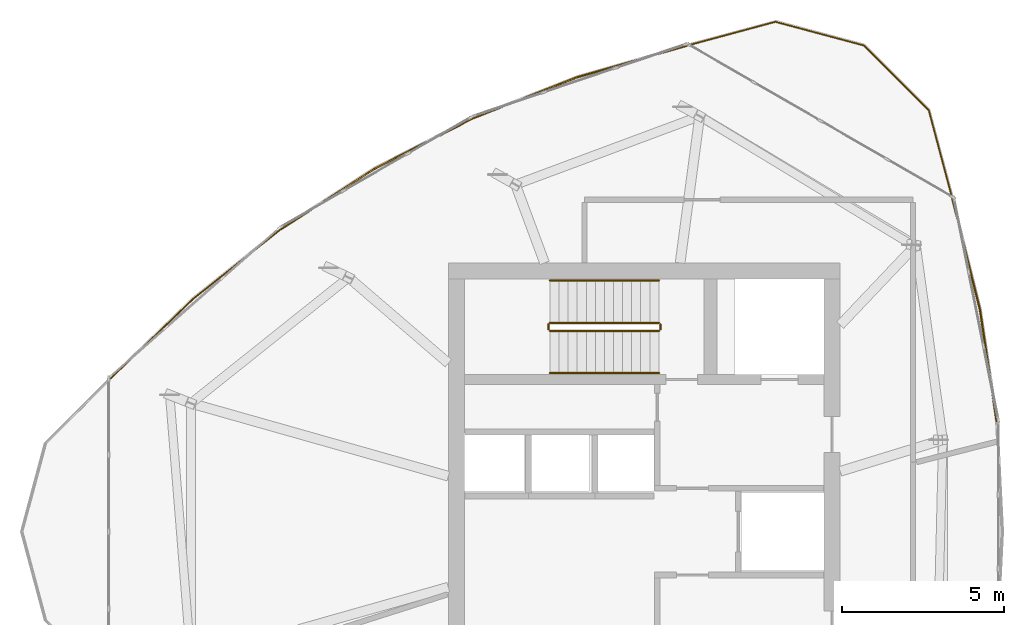
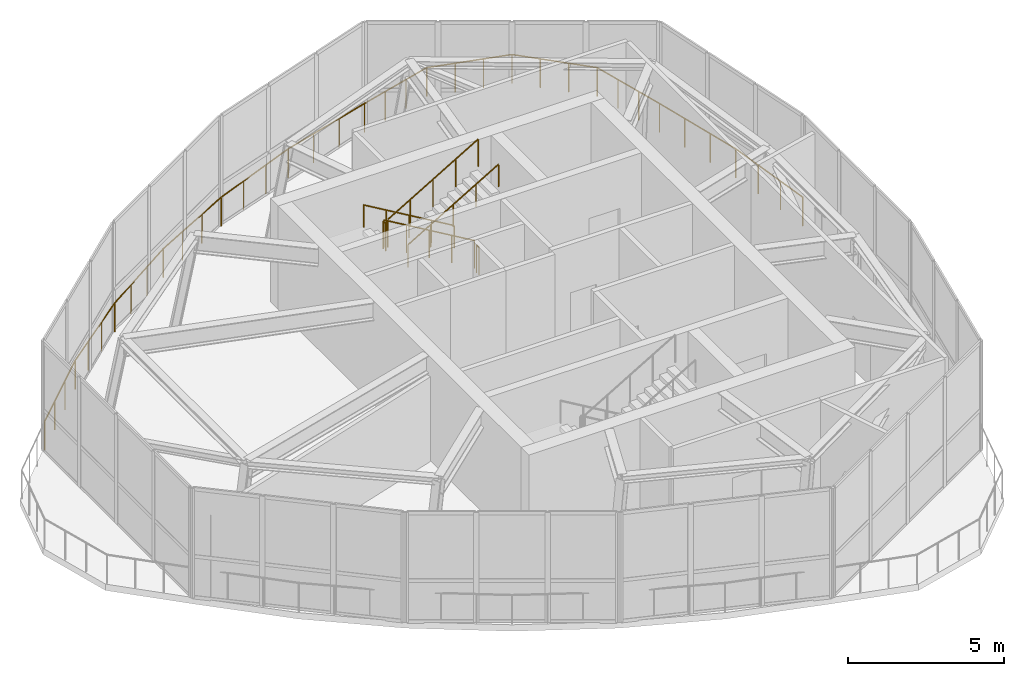
# One storey, part 11 of 11: 11 railings.
"""IFC4 building model written with IfcOpenShell, lengths in metres."""

from ifc_helpers import new_model, si_unit, direction, frame, origin, origin_2d, place, context, subcontext, project, spatial, circle, extrude, source, transform, mapped, material, type_object, element, save


model = new_model("IFC4")

# Units and contexts
model_context = context("Model", 3, precision=1e-05, world=origin(), true_north=direction((0.0, 1.0)))
body_context = subcontext(model_context, "Body", "Model", "MODEL_VIEW")
ifc_project = project(units=[si_unit("LENGTHUNIT", "METRE"), si_unit("AREAUNIT", "SQUARE_METRE"), si_unit("VOLUMEUNIT", "CUBIC_METRE"), si_unit("PLANEANGLEUNIT", "RADIAN"), si_unit("MASSUNIT", "GRAM", prefix="KILO")], contexts=[model_context])

# Site, building, storey
site_placement = place(None, origin())
site = spatial("IfcSite", under=ifc_project, at=site_placement, CompositionType="ELEMENT")
building_placement = place(site_placement, origin())
building = spatial("IfcBuilding", under=site, at=building_placement, Name="Qafzar Sky-Pleat Residences", CompositionType="ELEMENT")
storey_placement = place(building_placement, frame((0.0, 0.0, 253.199951171875)))
storey = spatial("IfcBuildingStorey", under=building, at=storey_placement, Name="L76 Crown", CompositionType="ELEMENT", Elevation=253.199951171875)

# Railings
ifc_material_1 = material(Name="Galvanised and bronze-coated Steel S355 guardrail", Category="steel")
railing_type_1 = type_object("IfcRailingType", Name="RAIL-EXT-1150", PredefinedType="GUARDRAIL", material=ifc_material_1)
shared_shape_1 = source(origin(), body_context, "Body", "SweptSolid", [
    extrude(circle(Radius=0.02392578125, at=origin_2d()), frame((0.0, 0.0, 1.1259765625), z_axis=(-0.147384730053, 0.989079239165, 0.0), x_axis=(-0.989079239165, -0.147384730053, 0.0)), (0.0, 0.0, 1.0), 3.46044921875),
    extrude(circle(Radius=0.02392578125, at=origin_2d()), frame((-0.510009765625, 3.422607421875, 1.1259765625), z_axis=(-0.24128213579, 0.970455012326, 0.0), x_axis=(-0.970455012326, -0.24128213579, 0.0)), (0.0, 0.0, 1.0), 3.529296875),
    extrude(circle(Radius=0.02099609375, at=origin_2d()), origin(), (0.0, 0.0, 1.0), 1.101806640625),
    extrude(circle(Radius=0.02099609375, at=origin_2d()), frame((-0.169921875, 1.140869140625, 0.0)), (0.0, 0.0, 1.0), 1.101806640625),
    extrude(circle(Radius=0.02099609375, at=origin_2d()), frame((-0.340087890625, 2.28173828125, 0.0)), (0.0, 0.0, 1.0), 1.101806640625),
    extrude(circle(Radius=0.02099609375, at=origin_2d()), frame((-0.510009765625, 3.422607421875, 0.0)), (0.0, 0.0, 1.0), 1.101806640625),
    extrude(circle(Radius=0.02099609375, at=origin_2d()), frame((-0.7939453125, 4.564208984375, 0.0)), (0.0, 0.0, 1.0), 1.101806640625),
    extrude(circle(Radius=0.02099609375, at=origin_2d()), frame((-1.07763671875, 5.7060546875, 0.0)), (0.0, 0.0, 1.0), 1.101806640625),
    extrude(circle(Radius=0.02099609375, at=origin_2d()), frame((-1.361572265625, 6.84765625, 0.0)), (0.0, 0.0, 1.0), 1.101806640625),
])
railing_1_placement = place(storey_placement, frame((41.226318359375, 29.421142578125, 0.0)))
element("IfcRailing", 1, at=railing_1_placement, inside=storey, type_object=railing_type_1, Name="L76 Crown Corner Maintenance Guardrail 8", PredefinedType="GUARDRAIL", context=body_context, shape_type="MappedRepresentation", body=[
    mapped(shared_shape_1, transform((0.0, 0.0, 0.0), x_axis=(1.0, 0.0, 0.0), y_axis=(0.0, 1.0, 0.0), z_axis=(0.0, 0.0, 1.0), scale=1.0)),
])
shared_shape_2 = source(origin(), body_context, "Body", "SweptSolid", [
    extrude(circle(Radius=0.02392578125, at=origin_2d()), frame((0.0, 0.0, 1.1259765625), z_axis=(-0.257260584326, 0.966342067672, 0.0), x_axis=(-0.966342067672, -0.257260584326, 0.0)), (0.0, 0.0, 1.0), 2.834716796875),
    extrude(circle(Radius=0.02392578125, at=origin_2d()), frame((-0.729248046875, 2.7392578125, 1.1259765625), z_axis=(-0.70676193522, 0.707451459059, 0.0), x_axis=(-0.707451459059, -0.70676193522, 0.0)), (0.0, 0.0, 1.0), 2.83251953125),
    extrude(circle(Radius=0.02392578125, at=origin_2d()), frame((-2.731201171875, 4.7431640625, 1.1259765625), z_axis=(-0.966086005163, 0.258220507759, 0.0), x_axis=(-0.258220507759, -0.966086005163, 0.0)), (0.0, 0.0, 1.0), 2.83251953125),
    extrude(circle(Radius=0.02392578125, at=origin_2d()), frame((-5.4677734375, 5.474609375, 1.1259765625), z_axis=(-0.965471763523, -0.260507723188, 0.0), x_axis=(0.260507723188, -0.965471763523, 0.0)), (0.0, 0.0, 1.0), 2.8349609375),
    extrude(circle(Radius=0.02099609375, at=origin_2d()), origin(), (0.0, 0.0, 1.0), 1.101806640625),
    extrude(circle(Radius=0.02099609375, at=origin_2d()), frame((-0.2431640625, 0.9130859375, 0.0)), (0.0, 0.0, 1.0), 1.101806640625),
    extrude(circle(Radius=0.02099609375, at=origin_2d()), frame((-0.486083984375, 1.826171875, 0.0)), (0.0, 0.0, 1.0), 1.101806640625),
    extrude(circle(Radius=0.02099609375, at=origin_2d()), frame((-0.729248046875, 2.7392578125, 0.0)), (0.0, 0.0, 1.0), 1.101806640625),
    extrude(circle(Radius=0.02099609375, at=origin_2d()), frame((-1.396484375, 3.4072265625, 0.0)), (0.0, 0.0, 1.0), 1.101806640625),
    extrude(circle(Radius=0.02099609375, at=origin_2d()), frame((-2.06396484375, 4.0751953125, 0.0)), (0.0, 0.0, 1.0), 1.101806640625),
    extrude(circle(Radius=0.02099609375, at=origin_2d()), frame((-2.731201171875, 4.7431640625, 0.0)), (0.0, 0.0, 1.0), 1.101806640625),
    extrude(circle(Radius=0.02099609375, at=origin_2d()), frame((-3.643310546875, 4.987060546875, 0.0)), (0.0, 0.0, 1.0), 1.101806640625),
    extrude(circle(Radius=0.02099609375, at=origin_2d()), frame((-4.5556640625, 5.230712890625, 0.0)), (0.0, 0.0, 1.0), 1.101806640625),
    extrude(circle(Radius=0.02099609375, at=origin_2d()), frame((-5.4677734375, 5.474609375, 0.0)), (0.0, 0.0, 1.0), 1.101806640625),
    extrude(circle(Radius=0.02099609375, at=origin_2d()), frame((-6.380126953125, 5.228515625, 0.0)), (0.0, 0.0, 1.0), 1.101806640625),
    extrude(circle(Radius=0.02099609375, at=origin_2d()), frame((-7.29248046875, 4.982177734375, 0.0)), (0.0, 0.0, 1.0), 1.101806640625),
    extrude(circle(Radius=0.02099609375, at=origin_2d()), frame((-8.204833984375, 4.736083984375, 0.0)), (0.0, 0.0, 1.0), 1.101806640625),
])
railing_2_placement = place(storey_placement, frame((39.86474609375, 36.268798828125, 0.0)))
element("IfcRailing", 2, at=railing_2_placement, inside=storey, type_object=railing_type_1, Name="L76 Crown Corner Maintenance Guardrail 9", PredefinedType="GUARDRAIL", context=body_context, shape_type="MappedRepresentation", body=[
    mapped(shared_shape_2, transform((0.0, 0.0, 0.0), x_axis=(1.0, 0.0, 0.0), y_axis=(0.0, 1.0, 0.0), z_axis=(0.0, 0.0, 1.0), scale=1.0)),
])
shared_shape_3 = source(origin(), body_context, "Body", "SweptSolid", [
    extrude(circle(Radius=0.02392578125, at=origin_2d()), frame((0.0, 0.0, 1.1259765625), z_axis=(-0.961042206475, -0.276401659499, 0.0), x_axis=(0.276401659499, -0.961042206475, 0.0)), (0.0, 0.0, 1.0), 3.529541015625),
    extrude(circle(Radius=0.02392578125, at=origin_2d()), frame((-3.39208984375, -0.9755859375, 1.1259765625), z_axis=(-0.93018438693, -0.367092639957, 0.0), x_axis=(0.367092639957, -0.93018438693, 0.0)), (0.0, 0.0, 1.0), 3.46044921875),
    extrude(circle(Radius=0.02099609375, at=origin_2d()), origin(), (0.0, 0.0, 1.0), 1.101806640625),
    extrude(circle(Radius=0.02099609375, at=origin_2d()), frame((-1.130615234375, -0.3251953125, 0.0)), (0.0, 0.0, 1.0), 1.101806640625),
    extrude(circle(Radius=0.02099609375, at=origin_2d()), frame((-2.261474609375, -0.650390625, 0.0)), (0.0, 0.0, 1.0), 1.101806640625),
    extrude(circle(Radius=0.02099609375, at=origin_2d()), frame((-3.39208984375, -0.9755859375, 0.0)), (0.0, 0.0, 1.0), 1.101806640625),
    extrude(circle(Radius=0.02099609375, at=origin_2d()), frame((-4.465087890625, -1.39892578125, 0.0)), (0.0, 0.0, 1.0), 1.101806640625),
    extrude(circle(Radius=0.02099609375, at=origin_2d()), frame((-5.537841796875, -1.822509765625, 0.0)), (0.0, 0.0, 1.0), 1.101806640625),
    extrude(circle(Radius=0.02099609375, at=origin_2d()), frame((-6.61083984375, -2.245849609375, 0.0)), (0.0, 0.0, 1.0), 1.101806640625),
])
railing_3_placement = place(storey_placement, frame((31.659912109375, 41.0048828125, 0.0)))
element("IfcRailing", 3, at=railing_3_placement, inside=storey, type_object=railing_type_1, Name="L76 Crown Corner Maintenance Guardrail 10", PredefinedType="GUARDRAIL", context=body_context, shape_type="MappedRepresentation", body=[
    mapped(shared_shape_3, transform((0.0, 0.0, 0.0), x_axis=(1.0, 0.0, 0.0), y_axis=(0.0, 1.0, 0.0), z_axis=(0.0, 0.0, 1.0), scale=1.0)),
])
shared_shape_4 = source(origin(), body_context, "Body", "SweptSolid", [
    extrude(circle(Radius=0.02392578125, at=origin_2d()), frame((0.0, 0.0, 1.1259765625), z_axis=(-0.889672689939, -0.456598844476, 0.0), x_axis=(0.456598844476, -0.889672689939, 0.0)), (0.0, 0.0, 1.0), 3.4248046875),
    extrude(circle(Radius=0.02392578125, at=origin_2d()), frame((-3.046875, -1.563720703125, 1.1259765625), z_axis=(-0.840120596894, -0.54239965217, 0.0), x_axis=(0.54239965217, -0.840120596894, 0.0)), (0.0, 0.0, 1.0), 3.424560546875),
    extrude(circle(Radius=0.02099609375, at=origin_2d()), origin(), (0.0, 0.0, 1.0), 1.101806640625),
    extrude(circle(Radius=0.02099609375, at=origin_2d()), frame((-1.015625, -0.521240234375, 0.0)), (0.0, 0.0, 1.0), 1.101806640625),
    extrude(circle(Radius=0.02099609375, at=origin_2d()), frame((-2.03125, -1.04248046875, 0.0)), (0.0, 0.0, 1.0), 1.101806640625),
    extrude(circle(Radius=0.02099609375, at=origin_2d()), frame((-3.046875, -1.563720703125, 0.0)), (0.0, 0.0, 1.0), 1.101806640625),
    extrude(circle(Radius=0.02099609375, at=origin_2d()), frame((-4.005859375, -2.182861328125, 0.0)), (0.0, 0.0, 1.0), 1.101806640625),
    extrude(circle(Radius=0.02099609375, at=origin_2d()), frame((-4.96484375, -2.802001953125, 0.0)), (0.0, 0.0, 1.0), 1.101806640625),
    extrude(circle(Radius=0.02099609375, at=origin_2d()), frame((-5.923828125, -3.421142578125, 0.0)), (0.0, 0.0, 1.0), 1.101806640625),
])
railing_4_placement = place(storey_placement, frame((25.049072265625, 38.759033203125, 0.0)))
element("IfcRailing", 4, at=railing_4_placement, inside=storey, type_object=railing_type_1, Name="L76 Crown Corner Maintenance Guardrail 11", PredefinedType="GUARDRAIL", context=body_context, shape_type="MappedRepresentation", body=[
    mapped(shared_shape_4, transform((0.0, 0.0, 0.0), x_axis=(1.0, 0.0, 0.0), y_axis=(0.0, 1.0, 0.0), z_axis=(0.0, 0.0, 1.0), scale=1.0)),
])
shared_shape_5 = source(origin(), body_context, "Body", "SweptSolid", [
    extrude(circle(Radius=0.02392578125, at=origin_2d()), frame((0.0, 0.0, 1.1259765625), z_axis=(-0.782840882903, -0.622221947584, 0.0), x_axis=(0.622221947584, -0.782840882903, 0.0)), (0.0, 0.0, 1.0), 3.45947265625),
    extrude(circle(Radius=0.02392578125, at=origin_2d()), frame((-2.708251953125, -2.152587890625, 1.1259765625), z_axis=(-0.71989244576, -0.694085633433, 0.0), x_axis=(0.694085633433, -0.71989244576, 0.0)), (0.0, 0.0, 1.0), 3.52880859375),
    extrude(circle(Radius=0.02099609375, at=origin_2d()), origin(), (0.0, 0.0, 1.0), 1.101806640625),
    extrude(circle(Radius=0.02099609375, at=origin_2d()), frame((-0.90283203125, -0.717529296875, 0.0)), (0.0, 0.0, 1.0), 1.101806640625),
    extrude(circle(Radius=0.02099609375, at=origin_2d()), frame((-1.805419921875, -1.43505859375, 0.0)), (0.0, 0.0, 1.0), 1.101806640625),
    extrude(circle(Radius=0.02099609375, at=origin_2d()), frame((-2.708251953125, -2.152587890625, 0.0)), (0.0, 0.0, 1.0), 1.101806640625),
    extrude(circle(Radius=0.02099609375, at=origin_2d()), frame((-3.554931640625, -2.968994140625, 0.0)), (0.0, 0.0, 1.0), 1.101806640625),
    extrude(circle(Radius=0.02099609375, at=origin_2d()), frame((-4.40185546875, -3.785400390625, 0.0)), (0.0, 0.0, 1.0), 1.101806640625),
    extrude(circle(Radius=0.02099609375, at=origin_2d()), frame((-5.24853515625, -4.601806640625, 0.0)), (0.0, 0.0, 1.0), 1.101806640625),
])
railing_5_placement = place(storey_placement, frame((19.125244140625, 35.337890625, 0.0)))
element("IfcRailing", 5, at=railing_5_placement, inside=storey, type_object=railing_type_1, Name="L76 Crown Corner Maintenance Guardrail 12", PredefinedType="GUARDRAIL", context=body_context, shape_type="MappedRepresentation", body=[
    mapped(shared_shape_5, transform((0.0, 0.0, 0.0), x_axis=(1.0, 0.0, 0.0), y_axis=(0.0, 1.0, 0.0), z_axis=(0.0, 0.0, 1.0), scale=1.0)),
])
ifc_material_2 = material(Name="Painted Steel S355 stair guardrail", Category="steel")
railing_type_2 = type_object("IfcRailingType", Name="RAIL-STAIR-GUARD", PredefinedType="GUARDRAIL", material=ifc_material_2)
shared_shape_6 = source(origin(), body_context, "Body", "SweptSolid", [
    extrude(circle(Radius=0.02392578125, at=origin_2d()), frame((0.0, 0.0, 1.076171875), z_axis=(0.0, -1.0, 0.0), x_axis=(1.0, 0.0, 0.0)), (0.0, 0.0, 1.0), 0.14990234375),
    extrude(circle(Radius=0.02099609375, at=origin_2d()), origin(), (0.0, 0.0, 1.0), 1.052001953125),
    extrude(circle(Radius=0.02099609375, at=origin_2d()), frame((0.0, -0.14990234375, 0.0)), (0.0, 0.0, 1.0), 1.052001953125),
])
for number, where, name in (
    (6, (27.389892578125, 32.39990234375, 2.150146484375), "L76 Crown ST2 stair guard 2"),
    (7, (30.85009765625, 32.39990234375, 0.0), "L76 Crown ST2 stair guard 4"),
):
    element("IfcRailing", number, at=place(storey_placement, frame(where)), inside=storey, type_object=railing_type_2, Name=name, PredefinedType="GUARDRAIL", context=body_context, shape_type="MappedRepresentation", body=[
        mapped(shared_shape_6, transform((0.0, 0.0, 0.0), x_axis=(1.0, 0.0, 0.0), y_axis=(0.0, 1.0, 0.0), z_axis=(0.0, 0.0, 1.0), scale=1.0)),
    ])
shared_shape_7 = source(origin(), body_context, "Body", "SweptSolid", [
    extrude(circle(Radius=0.02392578125, at=origin_2d()), frame((0.0, 0.0, 1.076171875), z_axis=(-0.861027394533, 0.0, 0.50855857663), x_axis=(0.0, -1.0, 0.0)), (0.0, 0.0, 1.0), 3.90234375),
    extrude(circle(Radius=0.02099609375, at=origin_2d()), origin(), (0.0, 0.0, 1.0), 1.052001953125),
    extrude(circle(Radius=0.02099609375, at=origin_2d()), frame((-0.840087890625, 0.0, 0.49609375)), (0.0, 0.0, 1.0), 1.052001953125),
    extrude(circle(Radius=0.02099609375, at=origin_2d()), frame((-1.68017578125, 0.0, 0.9921875)), (0.0, 0.0, 1.0), 1.052001953125),
    extrude(circle(Radius=0.02099609375, at=origin_2d()), frame((-2.52001953125, 0.0, 1.488525390625)), (0.0, 0.0, 1.0), 1.052001953125),
    extrude(circle(Radius=0.02099609375, at=origin_2d()), frame((-3.360107421875, 0.0, 1.984619140625)), (0.0, 0.0, 1.0), 1.052001953125),
])
railing_6_placement = place(storey_placement, frame((30.800048828125, 32.449951171875, 0.16552734375)))
element("IfcRailing", 8, at=railing_6_placement, inside=storey, type_object=railing_type_2, Name="L76 Crown ST2 stair guard 1", PredefinedType="GUARDRAIL", context=body_context, shape_type="MappedRepresentation", body=[
    mapped(shared_shape_7, transform((0.0, 0.0, 0.0), x_axis=(1.0, 0.0, 0.0), y_axis=(0.0, 1.0, 0.0), z_axis=(0.0, 0.0, 1.0), scale=1.0)),
])
shared_shape_8 = source(origin(), body_context, "Body", "SweptSolid", [
    extrude(circle(Radius=0.02392578125, at=origin_2d()), frame((0.0, 0.0, 1.076171875), z_axis=(0.861027394533, 0.0, 0.50855857663), x_axis=(0.0, 1.0, 0.0)), (0.0, 0.0, 1.0), 3.90234375),
    extrude(circle(Radius=0.02099609375, at=origin_2d()), origin(), (0.0, 0.0, 1.0), 1.052001953125),
    extrude(circle(Radius=0.02099609375, at=origin_2d()), frame((0.840087890625, 0.0, 0.49609375)), (0.0, 0.0, 1.0), 1.052001953125),
    extrude(circle(Radius=0.02099609375, at=origin_2d()), frame((1.68017578125, 0.0, 0.9921875)), (0.0, 0.0, 1.0), 1.052001953125),
    extrude(circle(Radius=0.02099609375, at=origin_2d()), frame((2.52001953125, 0.0, 1.488525390625)), (0.0, 0.0, 1.0), 1.052001953125),
    extrude(circle(Radius=0.02099609375, at=origin_2d()), frame((3.360107421875, 0.0, 1.984619140625)), (0.0, 0.0, 1.0), 1.052001953125),
])
railing_7_placement = place(storey_placement, frame((27.43994140625, 32.199951171875, 2.3154296875)))
element("IfcRailing", 9, at=railing_7_placement, inside=storey, type_object=railing_type_2, Name="L76 Crown ST2 stair guard 3", PredefinedType="GUARDRAIL", context=body_context, shape_type="MappedRepresentation", body=[
    mapped(shared_shape_8, transform((0.0, 0.0, 0.0), x_axis=(1.0, 0.0, 0.0), y_axis=(0.0, 1.0, 0.0), z_axis=(0.0, 0.0, 1.0), scale=1.0)),
])
ifc_material_3 = material(Name="Brushed stainless steel handrail", Category="steel")
railing_type_3 = type_object("IfcRailingType", Name="RAIL-STAIR-HAND", PredefinedType="HANDRAIL", material=ifc_material_3)
shared_shape_9 = source(origin(), body_context, "Body", "SweptSolid", [
    extrude(circle(Radius=0.02392578125, at=origin_2d()), frame((0.0, 0.0, 0.8759765625), z_axis=(-0.861027394533, 0.0, 0.50855857663), x_axis=(0.0, -1.0, 0.0)), (0.0, 0.0, 1.0), 3.90234375),
    extrude(circle(Radius=0.02099609375, at=origin_2d()), origin(), (0.0, 0.0, 1.0), 0.851806640625),
    extrude(circle(Radius=0.02099609375, at=origin_2d()), frame((-0.840087890625, 0.0, 0.49609375)), (0.0, 0.0, 1.0), 0.851806640625),
    extrude(circle(Radius=0.02099609375, at=origin_2d()), frame((-1.68017578125, 0.0, 0.9921875)), (0.0, 0.0, 1.0), 0.851806640625),
    extrude(circle(Radius=0.02099609375, at=origin_2d()), frame((-2.52001953125, 0.0, 1.488525390625)), (0.0, 0.0, 1.0), 0.851806640625),
    extrude(circle(Radius=0.02099609375, at=origin_2d()), frame((-3.360107421875, 0.0, 1.984619140625)), (0.0, 0.0, 1.0), 0.851806640625),
])
railing_8_placement = place(storey_placement, frame((30.800048828125, 33.75, 0.16552734375)))
element("IfcRailing", 10, at=railing_8_placement, inside=storey, type_object=railing_type_3, Name="L76 Crown ST2 stair handrail 1", PredefinedType="HANDRAIL", context=body_context, shape_type="MappedRepresentation", body=[
    mapped(shared_shape_9, transform((0.0, 0.0, 0.0), x_axis=(1.0, 0.0, 0.0), y_axis=(0.0, 1.0, 0.0), z_axis=(0.0, 0.0, 1.0), scale=1.0)),
])
shared_shape_10 = source(origin(), body_context, "Body", "SweptSolid", [
    extrude(circle(Radius=0.02392578125, at=origin_2d()), frame((0.0, 0.0, 0.8759765625), z_axis=(0.861027394533, 0.0, 0.50855857663), x_axis=(0.0, 1.0, 0.0)), (0.0, 0.0, 1.0), 3.90234375),
    extrude(circle(Radius=0.02099609375, at=origin_2d()), origin(), (0.0, 0.0, 1.0), 0.851806640625),
    extrude(circle(Radius=0.02099609375, at=origin_2d()), frame((0.840087890625, 0.0, 0.49609375)), (0.0, 0.0, 1.0), 0.851806640625),
    extrude(circle(Radius=0.02099609375, at=origin_2d()), frame((1.68017578125, 0.0, 0.9921875)), (0.0, 0.0, 1.0), 0.851806640625),
    extrude(circle(Radius=0.02099609375, at=origin_2d()), frame((2.52001953125, 0.0, 1.488525390625)), (0.0, 0.0, 1.0), 0.851806640625),
    extrude(circle(Radius=0.02099609375, at=origin_2d()), frame((3.360107421875, 0.0, 1.984619140625)), (0.0, 0.0, 1.0), 0.851806640625),
])
railing_9_placement = place(storey_placement, frame((27.43994140625, 30.89990234375, 2.3154296875)))
element("IfcRailing", 11, at=railing_9_placement, inside=storey, type_object=railing_type_3, Name="L76 Crown ST2 stair handrail 2", PredefinedType="HANDRAIL", context=body_context, shape_type="MappedRepresentation", body=[
    mapped(shared_shape_10, transform((0.0, 0.0, 0.0), x_axis=(1.0, 0.0, 0.0), y_axis=(0.0, 1.0, 0.0), z_axis=(0.0, 0.0, 1.0), scale=1.0)),
])

save(model, "model.ifc")
